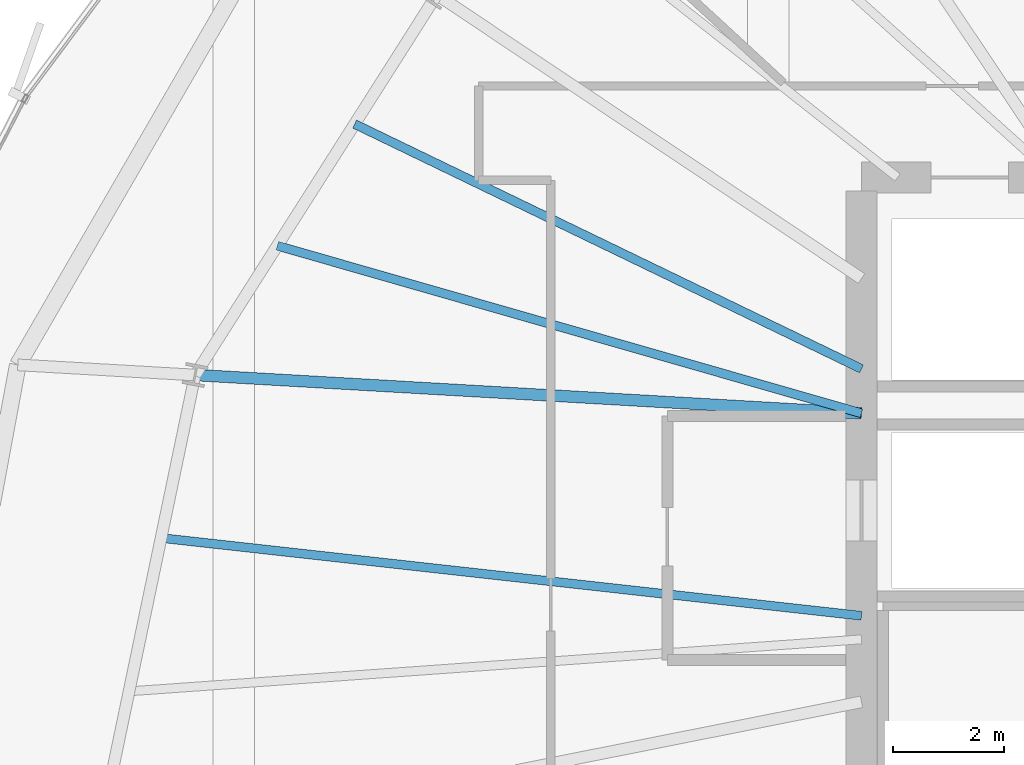
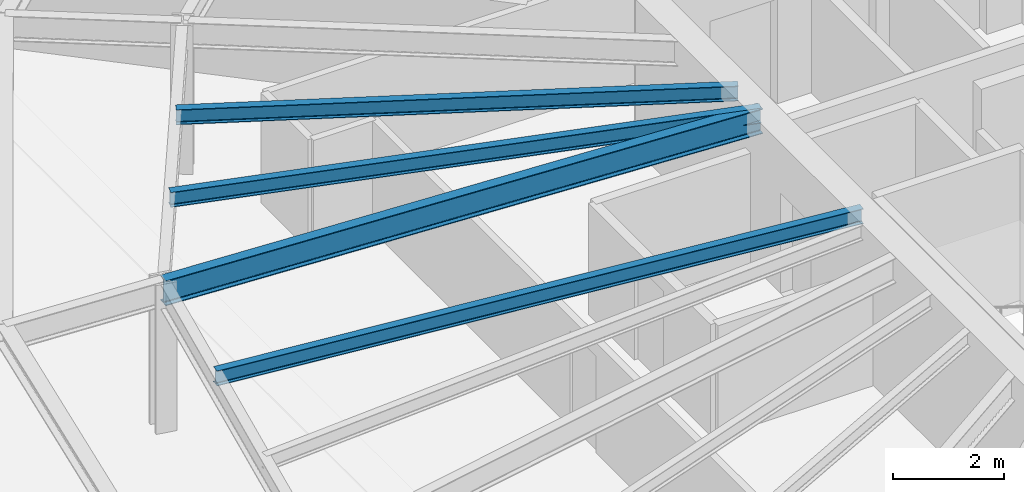
# One storey, part 10 of 34: 4 beams.
"""IFC4 building model written with IfcOpenShell, lengths in metres."""

from ifc_helpers import new_model, si_unit, direction, frame, origin, origin_2d, place, context, subcontext, project, spatial, i_section, extrude, source, transform, mapped, material, material_profile, profile_set, type_object, element, save


model = new_model("IFC4")

# Units and contexts
model_context = context("Model", 3, precision=1e-05, world=origin(), true_north=direction((0.0, 1.0)))
body_context = subcontext(model_context, "Body", "Model", "MODEL_VIEW")
ifc_project = project(units=[si_unit("LENGTHUNIT", "METRE"), si_unit("AREAUNIT", "SQUARE_METRE"), si_unit("VOLUMEUNIT", "CUBIC_METRE"), si_unit("PLANEANGLEUNIT", "RADIAN"), si_unit("MASSUNIT", "GRAM", prefix="KILO"), si_unit("THERMODYNAMICTEMPERATUREUNIT", "KELVIN")], contexts=[model_context])

# Site, building, storey
site_placement = place(None, origin())
site = spatial("IfcSite", under=ifc_project, at=site_placement, CompositionType="ELEMENT")
building_placement = place(site_placement, origin())
building = spatial("IfcBuilding", under=site, at=building_placement, Name="Kethvar Cultural Tower", CompositionType="ELEMENT")
storey_placement = place(building_placement, frame((0.0, 0.0, 128.800048828125)))
storey = spatial("IfcBuildingStorey", under=building, at=storey_placement, Name="L32", CompositionType="ELEMENT", Elevation=128.800048828125)

# Beams
ifc_material = material(Name="Steel S355J2", Category="steel")
ifc_material_profile_1 = material_profile(ifc_material, i_section(OverallWidth=0.2099609375, OverallDepth=0.550048828125, WebThickness=0.010986328125, FlangeThickness=0.01708984375, FilletRadius=0.02392578125, at=origin_2d()), Name="Steel S355J2 — IPE550")
ifc_profile_set_1 = profile_set([ifc_material_profile_1], Name="Steel S355J2 — IPE550")
beam_type_1 = type_object("IfcBeamType", Name="BM-IPE550", PredefinedType="BEAM", material=ifc_profile_set_1)
shared_shape_1 = source(origin(), body_context, "Body", "SweptSolid", [
    extrude(i_section(OverallWidth=0.2099609375, OverallDepth=0.550048828125, WebThickness=0.010986328125, FlangeThickness=0.01708984375, FilletRadius=0.02392578125, at=origin_2d()), origin(), (0.0, 0.0, 1.0), 12.03125),
])
beam_1_placement = place(storey_placement, frame((38.0, 31.25, 3.02294921875), z_axis=(-0.998355544741, 0.057325441856, 0.0), x_axis=(-0.057325441856, -0.998355544741, 0.0)))
element("IfcBeam", 1, at=beam_1_placement, inside=storey, type_object=beam_type_1, Name="L32 Primary Radial Beam RB-08", PredefinedType="BEAM", context=body_context, shape_type="MappedRepresentation", body=[
    mapped(shared_shape_1, transform((0.0, 0.0, 0.0), scale=1.0)),
])
ifc_material_profile_2 = material_profile(ifc_material, i_section(OverallWidth=0.159912109375, OverallDepth=0.330078125, WebThickness=0.007568359375, FlangeThickness=0.011474609375, FilletRadius=0.01806640625, at=origin_2d()), Name="Steel S355J2 — IPE330")
ifc_profile_set_2 = profile_set([ifc_material_profile_2], Name="Steel S355J2 — IPE330")
beam_type_2 = type_object("IfcBeamType", Name="BM-J330", PredefinedType="JOIST", material=ifc_profile_set_2)
shared_shape_2 = source(origin(), body_context, "Body", "SweptSolid", [
    extrude(i_section(OverallWidth=0.159912109375, OverallDepth=0.330078125, WebThickness=0.007568359375, FlangeThickness=0.011474609375, FilletRadius=0.01806640625, at=origin_2d()), origin(), (0.0, 0.0, 1.0), 10.1455078125),
])
beam_2_placement = place(storey_placement, frame((38.0, 32.05078125, 3.133056640625), z_axis=(-0.90045122575, 0.434956997927, 0.0), x_axis=(-0.434956997927, -0.90045122575, 0.0)))
element("IfcBeam", 2, at=beam_2_placement, inside=storey, type_object=beam_type_2, Name="L32 Composite Floor Joist J-07A", PredefinedType="JOIST", context=body_context, shape_type="MappedRepresentation", body=[
    mapped(shared_shape_2, transform((0.0, 0.0, 0.0), scale=1.0)),
])
shared_shape_3 = source(origin(), body_context, "Body", "SweptSolid", [
    extrude(i_section(OverallWidth=0.159912109375, OverallDepth=0.330078125, WebThickness=0.007568359375, FlangeThickness=0.011474609375, FilletRadius=0.01806640625, at=origin_2d()), origin(), (0.0, 0.0, 1.0), 10.95458984375),
])
beam_3_placement = place(storey_placement, frame((38.0, 31.25, 3.133056640625), z_axis=(-0.96124170623, 0.275707058676, 0.0), x_axis=(-0.275707058676, -0.96124170623, 0.0)))
element("IfcBeam", 3, at=beam_3_placement, inside=storey, type_object=beam_type_2, Name="L32 Composite Floor Joist J-07B", PredefinedType="JOIST", context=body_context, shape_type="MappedRepresentation", body=[
    mapped(shared_shape_3, transform((0.0, 0.0, 0.0), scale=1.0)),
])
shared_shape_4 = source(origin(), body_context, "Body", "SweptSolid", [
    extrude(i_section(OverallWidth=0.159912109375, OverallDepth=0.330078125, WebThickness=0.007568359375, FlangeThickness=0.011474609375, FilletRadius=0.01806640625, at=origin_2d()), origin(), (0.0, 0.0, 1.0), 12.7021484375),
])
beam_4_placement = place(storey_placement, frame((38.0, 27.60009765625, 3.133056640625), z_axis=(-0.993884906591, 0.110420978309, 0.0), x_axis=(-0.110420978309, -0.993884906591, 0.0)))
element("IfcBeam", 4, at=beam_4_placement, inside=storey, type_object=beam_type_2, Name="L32 Composite Floor Joist J-08A", PredefinedType="JOIST", context=body_context, shape_type="MappedRepresentation", body=[
    mapped(shared_shape_4, transform((0.0, 0.0, 0.0), scale=1.0)),
])

save(model, "model.ifc")
